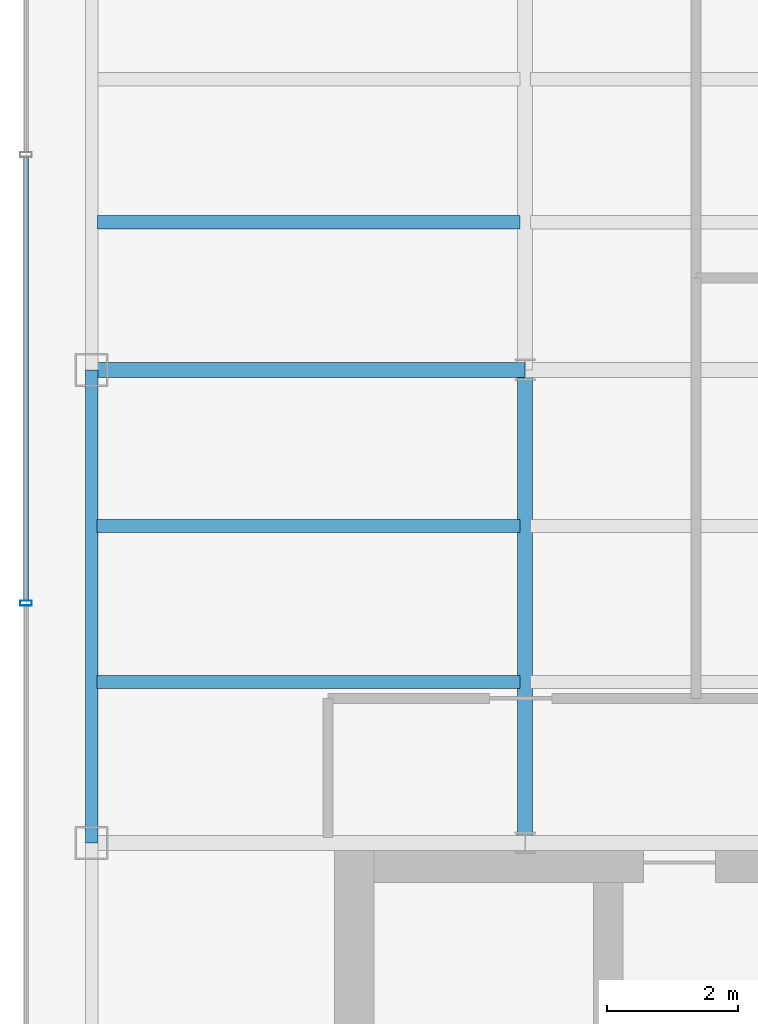
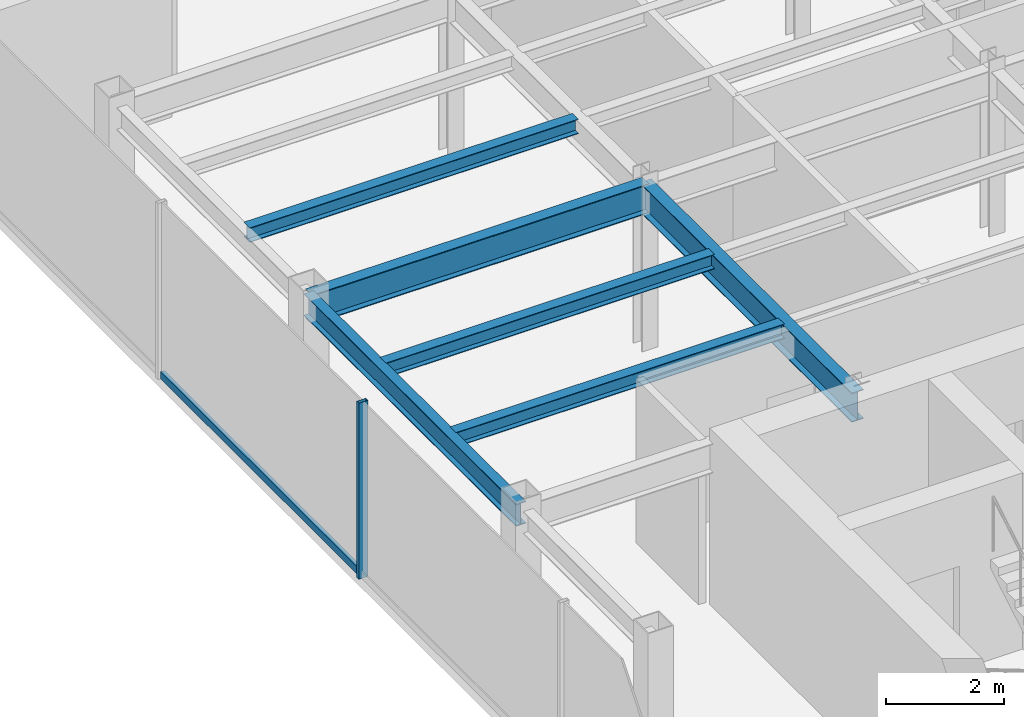
# One storey, part 5 of 22: 6 beams, 2 members, 1 element without a shape of its own.
"""IFC4 building model written with IfcOpenShell, lengths in metres."""

from ifc_helpers import new_model, si_unit, derived_unit, direction, frame, origin, origin_2d, place, context, subcontext, project, spatial, hollow_rectangle, i_section, extrude, source, transform, mapped, material, material_profile, profile_set, type_object, element, aggregate, save


model = new_model("IFC4")

# Units and contexts
model_context = context("Model", 3, precision=1e-05, world=origin(), true_north=direction((0.0, 1.0)))
body_context = subcontext(model_context, "Body", "Model", "MODEL_VIEW")
ifc_project = project(units=[si_unit("LENGTHUNIT", "METRE"), si_unit("AREAUNIT", "SQUARE_METRE"), si_unit("VOLUMEUNIT", "CUBIC_METRE"), si_unit("PLANEANGLEUNIT", "RADIAN"), si_unit("MASSUNIT", "GRAM", prefix="KILO"), derived_unit("THERMALTRANSMITTANCEUNIT", [(si_unit("POWERUNIT", "WATT"), 1), (si_unit("LENGTHUNIT", "METRE"), -2), (si_unit("THERMODYNAMICTEMPERATUREUNIT", "KELVIN"), -1)])], contexts=[model_context])

# Site, building, storey
site_placement = place(None, origin())
site = spatial("IfcSite", under=ifc_project, at=site_placement, CompositionType="ELEMENT")
building_placement = place(site_placement, origin())
building = spatial("IfcBuilding", under=site, at=building_placement, Name="Skarnbrae Concourse Arena and Tower", CompositionType="ELEMENT")
storey_placement = place(building_placement, frame((0.0, 0.0, 269.75)))
storey = spatial("IfcBuildingStorey", under=building, at=storey_placement, Name="L70", CompositionType="ELEMENT", Elevation=269.75)

# Beams
ifc_material_1 = material(Name="Steel CSA G40.21 350W", Category="steel")
ifc_material_profile_1 = material_profile(ifc_material_1, i_section(OverallWidth=0.22802734375, OverallDepth=0.60791015625, WebThickness=0.01123046875, FlangeThickness=0.017333984375, at=origin_2d()), Name="W610X113")
ifc_profile_set_1 = profile_set([ifc_material_profile_1], Name="Steel CSA G40.21 350W")
beam_type_1 = type_object("IfcBeamType", Name="BM-GIRD-W610X113", PredefinedType="BEAM", material=ifc_profile_set_1)
shared_shape_1 = source(origin(), body_context, "Body", "SweptSolid", [
    extrude(i_section(OverallWidth=0.22802734375, OverallDepth=0.60791015625, WebThickness=0.01123046875, FlangeThickness=0.017333984375, at=origin_2d()), origin(), (0.0, 0.0, 1.0), 6.60009765625),
])
beam_1_placement = place(storey_placement, frame((1.0, 21.199951171875, 3.095947265625), z_axis=(1.0, 0.0, 0.0), x_axis=(0.0, 1.0, 0.0)))
element("IfcBeam", 1, at=beam_1_placement, inside=storey, type_object=beam_type_1, Name="L70 Primary E-W girder Y21.2-1", PredefinedType="BEAM", context=body_context, shape_type="MappedRepresentation", body=[
    mapped(shared_shape_1, transform((0.0, 0.0, 0.0))),
])
ifc_material_profile_2 = material_profile(ifc_material_1, i_section(OverallWidth=0.19091796875, OverallDepth=0.4599609375, WebThickness=0.010009765625, FlangeThickness=0.01611328125, at=origin_2d()), Name="W460X82")
ifc_profile_set_2 = profile_set([ifc_material_profile_2], Name="Steel CSA G40.21 350W")
beam_type_2 = type_object("IfcBeamType", Name="BM-SPAN-W460X82", PredefinedType="SPANDREL", material=ifc_profile_set_2)
shared_shape_2 = source(origin(), body_context, "Body", "SweptSolid", [
    extrude(i_section(OverallWidth=0.19091796875, OverallDepth=0.4599609375, WebThickness=0.010009765625, FlangeThickness=0.01611328125, at=origin_2d()), origin(), (0.0, 0.0, 1.0), 7.199951171875),
])
beam_2_placement = place(storey_placement, frame((1.0, 14.0, 3.169921875), z_axis=(0.0, 1.0, 0.0), x_axis=(-1.0, 0.0, 0.0)))
element("IfcBeam", 2, at=beam_2_placement, inside=storey, type_object=beam_type_2, Name="L70 Perimeter spandrel X1.0-2", PredefinedType="SPANDREL", context=body_context, shape_type="MappedRepresentation", body=[
    mapped(shared_shape_2, transform((0.0, 0.0, 0.0))),
])
shared_shape_3 = source(origin(), body_context, "Body", "SweptSolid", [
    extrude(i_section(OverallWidth=0.22802734375, OverallDepth=0.60791015625, WebThickness=0.01123046875, FlangeThickness=0.017333984375, at=origin_2d()), origin(), (0.0, 0.0, 1.0), 7.199951171875),
])
beam_3_placement = place(storey_placement, frame((7.60009765625, 14.0, 3.095947265625), z_axis=(0.0, 1.0, 0.0), x_axis=(-1.0, 0.0, 0.0)))
element("IfcBeam", 3, at=beam_3_placement, inside=storey, type_object=beam_type_1, Name="L70 Primary N-S girder X7.6-1", PredefinedType="BEAM", context=body_context, shape_type="MappedRepresentation", body=[
    mapped(shared_shape_3, transform((0.0, 0.0, 0.0))),
])
ifc_material_profile_3 = material_profile(ifc_material_1, i_section(OverallWidth=0.202880859375, OverallDepth=0.302978515625, WebThickness=0.007568359375, FlangeThickness=0.01318359375, at=origin_2d()), Name="W310X60")
ifc_profile_set_3 = profile_set([ifc_material_profile_3], Name="Steel CSA G40.21 350W")
beam_type_3 = type_object("IfcBeamType", Name="BM-JOIST-W310X60", PredefinedType="JOIST", material=ifc_profile_set_3)
shared_shape_4 = source(origin(), body_context, "Body", "SweptSolid", [
    extrude(i_section(OverallWidth=0.202880859375, OverallDepth=0.302978515625, WebThickness=0.007568359375, FlangeThickness=0.01318359375, at=origin_2d()), origin(), (0.0, 0.0, 1.0), 6.43994140625),
])
for number, where, z_axis, x_axis, name in (
    (4, (1.080078125, 16.447998046875, 3.24853515625), (1.0, 0.0, 0.0), (0.0, 1.0, 0.0), "L70 Secondary floor joist 1.1.1"),
    (5, (1.080078125, 18.823974609375, 3.24853515625), (1.0, 0.0, 0.0), (0.0, 1.0, 0.0), "L70 Secondary floor joist 1.2.1"),
    (6, (1.080078125, 23.444091796875, 3.24853515625), (1.0, 0.0, 0.0), (0.0, 1.0, 0.0), "L70 Secondary floor joist 2.1.1"),
):
    element("IfcBeam", number, at=place(storey_placement, frame(where, z_axis=z_axis, x_axis=x_axis)), inside=storey, type_object=beam_type_3, Name=name, PredefinedType="JOIST", context=body_context, shape_type="MappedRepresentation", body=[
        mapped(shared_shape_4, transform((0.0, 0.0, 0.0))),
    ])

# Curtain wall, members
ifc_material_2 = material(Name="Bronze anodised aluminium 6063-T6", Category="aluminium")
curtain_wall_type = type_object("IfcCurtainWallType", Name="CW-SYS-05-HIGHZONE", PredefinedType="USERDEFINED", material=ifc_material_2)
curtain_wall_placement = place(storey_placement, origin())
curtain_wall = element("IfcCurtainWall", 7, at=curtain_wall_placement, inside=storey, type_object=curtain_wall_type, Name="L70 Unitised curtain wall CW-L70-E18", ObjectType="UNITISED CURTAIN WALL", PredefinedType="USERDEFINED")
ifc_material_profile_4 = material_profile(ifc_material_2, hollow_rectangle(XDim=0.074951171875, YDim=0.179931640625, WallThickness=0.00390625, at=origin_2d()), Name="ALU-MULL-75X180")
ifc_profile_set_4 = profile_set([ifc_material_profile_4], Name="Bronze anodised aluminium 6063-T6")
member_type_1 = type_object("IfcMemberType", Name="CWM-CW-05", PredefinedType="MULLION", material=ifc_profile_set_4)
shared_shape_5 = source(origin(), body_context, "Body", "SweptSolid", [
    extrude(hollow_rectangle(XDim=0.074951171875, YDim=0.179931640625, WallThickness=0.00390625, at=origin_2d()), origin(), (0.0, 0.0, 1.0), 3.64990234375),
])
member_1_placement = place(storey_placement, frame((0.0, 17.64990234375, 0.0), z_axis=(0.0, 0.0, 1.0), x_axis=(0.0, -1.0, 0.0)))
member_1 = element("IfcMember", 8, at=member_1_placement, type_object=member_type_1, Name="CW-L70-E18 Mullion 3", PredefinedType="MULLION", context=body_context, shape_type="MappedRepresentation", body=[
    mapped(shared_shape_5, transform((0.0, 0.0, 0.0))),
])
ifc_material_profile_5 = material_profile(ifc_material_2, hollow_rectangle(XDim=0.074951171875, YDim=0.14990234375, WallThickness=0.00390625, at=origin_2d()), Name="ALU-TRAN-75X150")
ifc_profile_set_5 = profile_set([ifc_material_profile_5], Name="Bronze anodised aluminium 6063-T6")
member_type_2 = type_object("IfcMemberType", Name="CWT-CW-05", PredefinedType="USERDEFINED", material=ifc_profile_set_5)
shared_shape_6 = source(origin(), body_context, "Body", "SweptSolid", [
    extrude(hollow_rectangle(XDim=0.074951171875, YDim=0.14990234375, WallThickness=0.00390625, at=origin_2d()), origin(), (0.0, 0.0, 1.0), 6.75),
])
member_2_placement = place(storey_placement, frame((0.0, 24.4375, 0.074951171875), z_axis=(0.0, -1.0, 0.0), x_axis=(1.0, 0.0, 0.0)))
member_2 = element("IfcMember", 9, at=member_2_placement, type_object=member_type_2, Name="CW-L70-E18 Transom 2", ObjectType="TRANSOM", PredefinedType="USERDEFINED", context=body_context, shape_type="MappedRepresentation", body=[
    mapped(shared_shape_6, transform((0.0, 0.0, 0.0))),
])
aggregate(curtain_wall, [member_1, member_2])

save(model, "model.ifc")
